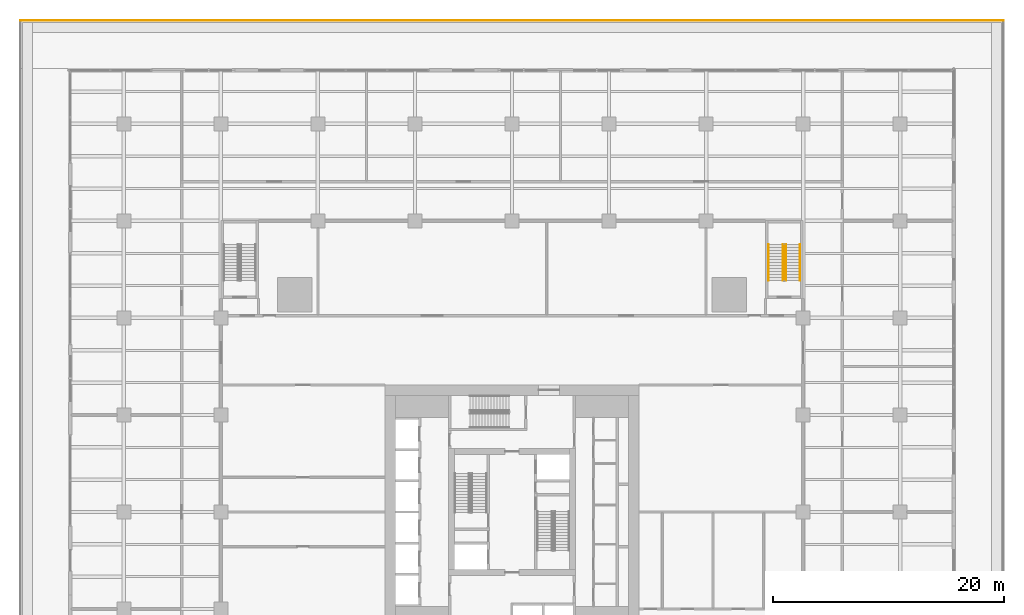
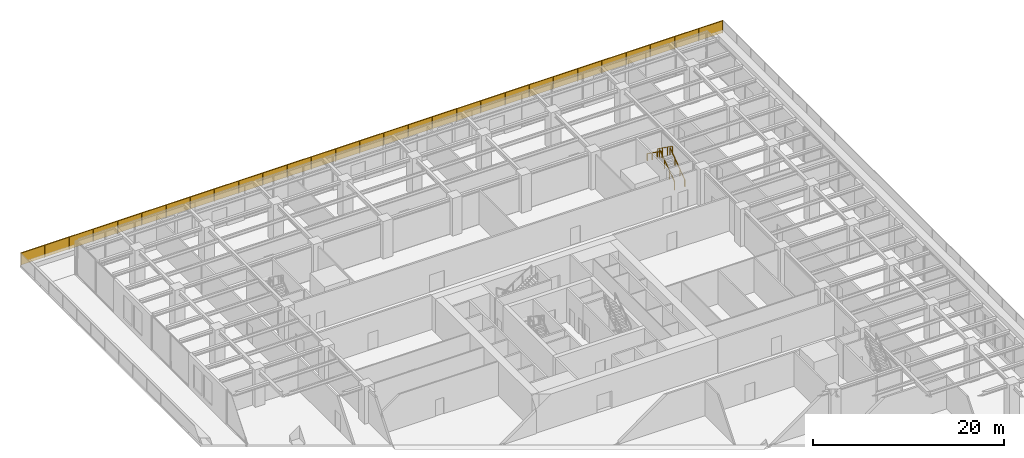
# One storey, part 31 of 32: 5 railings.
"""IFC4 building model written with IfcOpenShell, lengths in metres."""

from ifc_helpers import new_model, si_unit, direction, frame, origin, origin_2d, place, context, subcontext, project, spatial, rectangle, extrude, material, type_object, element, save


model = new_model("IFC4")

# Units and contexts
model_context = context("Model", 3, precision=1e-05, world=origin(), true_north=direction((0.0, 1.0)))
body_context = subcontext(model_context, "Body", "Model", "MODEL_VIEW")
ifc_project = project(units=[si_unit("LENGTHUNIT", "METRE"), si_unit("AREAUNIT", "SQUARE_METRE"), si_unit("VOLUMEUNIT", "CUBIC_METRE"), si_unit("PLANEANGLEUNIT", "RADIAN"), si_unit("MASSUNIT", "GRAM", prefix="KILO")], contexts=[model_context])

# Site, building, storey
site_placement = place(None, origin())
site = spatial("IfcSite", under=ifc_project, at=site_placement, CompositionType="ELEMENT")
building_placement = place(site_placement, origin())
building = spatial("IfcBuilding", under=site, at=building_placement, Name="Khepri Terraces", CompositionType="ELEMENT")
storey_placement = place(building_placement, frame((0.0, 0.0, 12.0)))
storey = spatial("IfcBuildingStorey", under=building, at=storey_placement, Name="L02", CompositionType="ELEMENT", Elevation=12.0)

# Railings
ifc_material_1 = material(Name="Stainless steel grade 316", Category="steel")
railing_type_1 = type_object("IfcRailingType", Name="GRD-TERR-1700", PredefinedType="GUARDRAIL", material=ifc_material_1)
railing_1_placement = place(storey_placement, frame((-42.550048828125, 42.550048828125, 0.0)))
element("IfcRailing", 1, at=railing_1_placement, inside=storey, type_object=railing_type_1, Name="Terrace guard L02", PredefinedType="GUARDRAIL", context=body_context, shape_type="SweptSolid", body=[
    extrude(rectangle(XDim=0.050048828125, YDim=0.06005859375, at=origin_2d()), frame((0.0, 0.0, 1.669921875), z_axis=(1.0, 0.0, 0.0), x_axis=(0.0, 1.0, 0.0)), (0.0, 0.0, 1.0), 85.10009765625),
    extrude(rectangle(XDim=2.884521484375, YDim=0.011962890625, at=origin_2d()), frame((1.46728515625, 0.0, 0.10009765625), z_axis=(0.0, 0.0, 1.0), x_axis=(1.0, 0.0, 0.0)), (0.0, 0.0, 1.0), 1.539794921875),
    extrude(rectangle(XDim=2.884521484375, YDim=0.011962890625, at=origin_2d()), frame((4.401611328125, 0.0, 0.10009765625), z_axis=(0.0, 0.0, 1.0), x_axis=(1.0, 0.0, 0.0)), (0.0, 0.0, 1.0), 1.539794921875),
    extrude(rectangle(XDim=2.884521484375, YDim=0.011962890625, at=origin_2d()), frame((7.336181640625, 0.0, 0.10009765625), z_axis=(0.0, 0.0, 1.0), x_axis=(1.0, 0.0, 0.0)), (0.0, 0.0, 1.0), 1.539794921875),
    extrude(rectangle(XDim=2.884521484375, YDim=0.011962890625, at=origin_2d()), frame((10.270751953125, 0.0, 0.10009765625), z_axis=(0.0, 0.0, 1.0), x_axis=(1.0, 0.0, 0.0)), (0.0, 0.0, 1.0), 1.539794921875),
    extrude(rectangle(XDim=2.884521484375, YDim=0.011962890625, at=origin_2d()), frame((13.205078125, 0.0, 0.10009765625), z_axis=(0.0, 0.0, 1.0), x_axis=(1.0, 0.0, 0.0)), (0.0, 0.0, 1.0), 1.539794921875),
    extrude(rectangle(XDim=2.884521484375, YDim=0.011962890625, at=origin_2d()), frame((16.1396484375, 0.0, 0.10009765625), z_axis=(0.0, 0.0, 1.0), x_axis=(1.0, 0.0, 0.0)), (0.0, 0.0, 1.0), 1.539794921875),
    extrude(rectangle(XDim=2.884521484375, YDim=0.011962890625, at=origin_2d()), frame((19.07421875, 0.0, 0.10009765625), z_axis=(0.0, 0.0, 1.0), x_axis=(1.0, 0.0, 0.0)), (0.0, 0.0, 1.0), 1.539794921875),
    extrude(rectangle(XDim=2.884521484375, YDim=0.011962890625, at=origin_2d()), frame((22.008544921875, 0.0, 0.10009765625), z_axis=(0.0, 0.0, 1.0), x_axis=(1.0, 0.0, 0.0)), (0.0, 0.0, 1.0), 1.539794921875),
    extrude(rectangle(XDim=2.884521484375, YDim=0.011962890625, at=origin_2d()), frame((24.943115234375, 0.0, 0.10009765625), z_axis=(0.0, 0.0, 1.0), x_axis=(1.0, 0.0, 0.0)), (0.0, 0.0, 1.0), 1.539794921875),
    extrude(rectangle(XDim=2.884521484375, YDim=0.011962890625, at=origin_2d()), frame((27.877685546875, 0.0, 0.10009765625), z_axis=(0.0, 0.0, 1.0), x_axis=(1.0, 0.0, 0.0)), (0.0, 0.0, 1.0), 1.539794921875),
    extrude(rectangle(XDim=2.884521484375, YDim=0.011962890625, at=origin_2d()), frame((30.81201171875, 0.0, 0.10009765625), z_axis=(0.0, 0.0, 1.0), x_axis=(1.0, 0.0, 0.0)), (0.0, 0.0, 1.0), 1.539794921875),
    extrude(rectangle(XDim=2.884521484375, YDim=0.011962890625, at=origin_2d()), frame((33.74658203125, 0.0, 0.10009765625), z_axis=(0.0, 0.0, 1.0), x_axis=(1.0, 0.0, 0.0)), (0.0, 0.0, 1.0), 1.539794921875),
    extrude(rectangle(XDim=2.884521484375, YDim=0.011962890625, at=origin_2d()), frame((36.68115234375, 0.0, 0.10009765625), z_axis=(0.0, 0.0, 1.0), x_axis=(1.0, 0.0, 0.0)), (0.0, 0.0, 1.0), 1.539794921875),
    extrude(rectangle(XDim=2.884521484375, YDim=0.011962890625, at=origin_2d()), frame((39.615478515625, 0.0, 0.10009765625), z_axis=(0.0, 0.0, 1.0), x_axis=(1.0, 0.0, 0.0)), (0.0, 0.0, 1.0), 1.539794921875),
    extrude(rectangle(XDim=2.884521484375, YDim=0.011962890625, at=origin_2d()), frame((42.550048828125, 0.0, 0.10009765625), z_axis=(0.0, 0.0, 1.0), x_axis=(1.0, 0.0, 0.0)), (0.0, 0.0, 1.0), 1.539794921875),
    extrude(rectangle(XDim=2.884521484375, YDim=0.011962890625, at=origin_2d()), frame((45.484619140625, 0.0, 0.10009765625), z_axis=(0.0, 0.0, 1.0), x_axis=(1.0, 0.0, 0.0)), (0.0, 0.0, 1.0), 1.539794921875),
    extrude(rectangle(XDim=2.884521484375, YDim=0.011962890625, at=origin_2d()), frame((48.4189453125, 0.0, 0.10009765625), z_axis=(0.0, 0.0, 1.0), x_axis=(1.0, 0.0, 0.0)), (0.0, 0.0, 1.0), 1.539794921875),
    extrude(rectangle(XDim=2.884521484375, YDim=0.011962890625, at=origin_2d()), frame((51.353515625, 0.0, 0.10009765625), z_axis=(0.0, 0.0, 1.0), x_axis=(1.0, 0.0, 0.0)), (0.0, 0.0, 1.0), 1.539794921875),
    extrude(rectangle(XDim=2.884521484375, YDim=0.011962890625, at=origin_2d()), frame((54.2880859375, 0.0, 0.10009765625), z_axis=(0.0, 0.0, 1.0), x_axis=(1.0, 0.0, 0.0)), (0.0, 0.0, 1.0), 1.539794921875),
    extrude(rectangle(XDim=2.884521484375, YDim=0.011962890625, at=origin_2d()), frame((57.222412109375, 0.0, 0.10009765625), z_axis=(0.0, 0.0, 1.0), x_axis=(1.0, 0.0, 0.0)), (0.0, 0.0, 1.0), 1.539794921875),
    extrude(rectangle(XDim=2.884521484375, YDim=0.011962890625, at=origin_2d()), frame((60.156982421875, 0.0, 0.10009765625), z_axis=(0.0, 0.0, 1.0), x_axis=(1.0, 0.0, 0.0)), (0.0, 0.0, 1.0), 1.539794921875),
    extrude(rectangle(XDim=2.884521484375, YDim=0.011962890625, at=origin_2d()), frame((63.091552734375, 0.0, 0.10009765625), z_axis=(0.0, 0.0, 1.0), x_axis=(1.0, 0.0, 0.0)), (0.0, 0.0, 1.0), 1.539794921875),
    extrude(rectangle(XDim=2.884521484375, YDim=0.011962890625, at=origin_2d()), frame((66.02587890625, 0.0, 0.10009765625), z_axis=(0.0, 0.0, 1.0), x_axis=(1.0, 0.0, 0.0)), (0.0, 0.0, 1.0), 1.539794921875),
    extrude(rectangle(XDim=2.884521484375, YDim=0.011962890625, at=origin_2d()), frame((68.96044921875, 0.0, 0.10009765625), z_axis=(0.0, 0.0, 1.0), x_axis=(1.0, 0.0, 0.0)), (0.0, 0.0, 1.0), 1.539794921875),
    extrude(rectangle(XDim=2.884521484375, YDim=0.011962890625, at=origin_2d()), frame((71.89501953125, 0.0, 0.10009765625), z_axis=(0.0, 0.0, 1.0), x_axis=(1.0, 0.0, 0.0)), (0.0, 0.0, 1.0), 1.539794921875),
    extrude(rectangle(XDim=2.884521484375, YDim=0.011962890625, at=origin_2d()), frame((74.829345703125, 0.0, 0.10009765625), z_axis=(0.0, 0.0, 1.0), x_axis=(1.0, 0.0, 0.0)), (0.0, 0.0, 1.0), 1.539794921875),
    extrude(rectangle(XDim=2.884521484375, YDim=0.011962890625, at=origin_2d()), frame((77.763916015625, 0.0, 0.10009765625), z_axis=(0.0, 0.0, 1.0), x_axis=(1.0, 0.0, 0.0)), (0.0, 0.0, 1.0), 1.539794921875),
    extrude(rectangle(XDim=2.884521484375, YDim=0.011962890625, at=origin_2d()), frame((80.698486328125, 0.0, 0.10009765625), z_axis=(0.0, 0.0, 1.0), x_axis=(1.0, 0.0, 0.0)), (0.0, 0.0, 1.0), 1.539794921875),
    extrude(rectangle(XDim=2.884521484375, YDim=0.011962890625, at=origin_2d()), frame((83.6328125, 0.0, 0.10009765625), z_axis=(0.0, 0.0, 1.0), x_axis=(1.0, 0.0, 0.0)), (0.0, 0.0, 1.0), 1.539794921875),
    extrude(rectangle(XDim=0.050048828125, YDim=0.050048828125, at=origin_2d()), origin(), (0.0, 0.0, 1.0), 1.639892578125),
    extrude(rectangle(XDim=0.050048828125, YDim=0.050048828125, at=origin_2d()), frame((2.9345703125, 0.0, 0.0)), (0.0, 0.0, 1.0), 1.639892578125),
    extrude(rectangle(XDim=0.050048828125, YDim=0.050048828125, at=origin_2d()), frame((5.868896484375, 0.0, 0.0)), (0.0, 0.0, 1.0), 1.639892578125),
    extrude(rectangle(XDim=0.050048828125, YDim=0.050048828125, at=origin_2d()), frame((8.803466796875, 0.0, 0.0)), (0.0, 0.0, 1.0), 1.639892578125),
    extrude(rectangle(XDim=0.050048828125, YDim=0.050048828125, at=origin_2d()), frame((11.738037109375, 0.0, 0.0)), (0.0, 0.0, 1.0), 1.639892578125),
    extrude(rectangle(XDim=0.050048828125, YDim=0.050048828125, at=origin_2d()), frame((14.67236328125, 0.0, 0.0)), (0.0, 0.0, 1.0), 1.639892578125),
    extrude(rectangle(XDim=0.050048828125, YDim=0.050048828125, at=origin_2d()), frame((17.60693359375, 0.0, 0.0)), (0.0, 0.0, 1.0), 1.639892578125),
    extrude(rectangle(XDim=0.050048828125, YDim=0.050048828125, at=origin_2d()), frame((20.54150390625, 0.0, 0.0)), (0.0, 0.0, 1.0), 1.639892578125),
    extrude(rectangle(XDim=0.050048828125, YDim=0.050048828125, at=origin_2d()), frame((23.475830078125, 0.0, 0.0)), (0.0, 0.0, 1.0), 1.639892578125),
    extrude(rectangle(XDim=0.050048828125, YDim=0.050048828125, at=origin_2d()), frame((26.410400390625, 0.0, 0.0)), (0.0, 0.0, 1.0), 1.639892578125),
    extrude(rectangle(XDim=0.050048828125, YDim=0.050048828125, at=origin_2d()), frame((29.344970703125, 0.0, 0.0)), (0.0, 0.0, 1.0), 1.639892578125),
    extrude(rectangle(XDim=0.050048828125, YDim=0.050048828125, at=origin_2d()), frame((32.279296875, 0.0, 0.0)), (0.0, 0.0, 1.0), 1.639892578125),
    extrude(rectangle(XDim=0.050048828125, YDim=0.050048828125, at=origin_2d()), frame((35.2138671875, 0.0, 0.0)), (0.0, 0.0, 1.0), 1.639892578125),
    extrude(rectangle(XDim=0.050048828125, YDim=0.050048828125, at=origin_2d()), frame((38.1484375, 0.0, 0.0)), (0.0, 0.0, 1.0), 1.639892578125),
    extrude(rectangle(XDim=0.050048828125, YDim=0.050048828125, at=origin_2d()), frame((41.082763671875, 0.0, 0.0)), (0.0, 0.0, 1.0), 1.639892578125),
    extrude(rectangle(XDim=0.050048828125, YDim=0.050048828125, at=origin_2d()), frame((44.017333984375, 0.0, 0.0)), (0.0, 0.0, 1.0), 1.639892578125),
    extrude(rectangle(XDim=0.050048828125, YDim=0.050048828125, at=origin_2d()), frame((46.95166015625, 0.0, 0.0)), (0.0, 0.0, 1.0), 1.639892578125),
    extrude(rectangle(XDim=0.050048828125, YDim=0.050048828125, at=origin_2d()), frame((49.88623046875, 0.0, 0.0)), (0.0, 0.0, 1.0), 1.639892578125),
    extrude(rectangle(XDim=0.050048828125, YDim=0.050048828125, at=origin_2d()), frame((52.82080078125, 0.0, 0.0)), (0.0, 0.0, 1.0), 1.639892578125),
    extrude(rectangle(XDim=0.050048828125, YDim=0.050048828125, at=origin_2d()), frame((55.755126953125, 0.0, 0.0)), (0.0, 0.0, 1.0), 1.639892578125),
    extrude(rectangle(XDim=0.050048828125, YDim=0.050048828125, at=origin_2d()), frame((58.689697265625, 0.0, 0.0)), (0.0, 0.0, 1.0), 1.639892578125),
    extrude(rectangle(XDim=0.050048828125, YDim=0.050048828125, at=origin_2d()), frame((61.624267578125, 0.0, 0.0)), (0.0, 0.0, 1.0), 1.639892578125),
    extrude(rectangle(XDim=0.050048828125, YDim=0.050048828125, at=origin_2d()), frame((64.55859375, 0.0, 0.0)), (0.0, 0.0, 1.0), 1.639892578125),
    extrude(rectangle(XDim=0.050048828125, YDim=0.050048828125, at=origin_2d()), frame((67.4931640625, 0.0, 0.0)), (0.0, 0.0, 1.0), 1.639892578125),
    extrude(rectangle(XDim=0.050048828125, YDim=0.050048828125, at=origin_2d()), frame((70.427734375, 0.0, 0.0)), (0.0, 0.0, 1.0), 1.639892578125),
    extrude(rectangle(XDim=0.050048828125, YDim=0.050048828125, at=origin_2d()), frame((73.362060546875, 0.0, 0.0)), (0.0, 0.0, 1.0), 1.639892578125),
    extrude(rectangle(XDim=0.050048828125, YDim=0.050048828125, at=origin_2d()), frame((76.296630859375, 0.0, 0.0)), (0.0, 0.0, 1.0), 1.639892578125),
    extrude(rectangle(XDim=0.050048828125, YDim=0.050048828125, at=origin_2d()), frame((79.231201171875, 0.0, 0.0)), (0.0, 0.0, 1.0), 1.639892578125),
    extrude(rectangle(XDim=0.050048828125, YDim=0.050048828125, at=origin_2d()), frame((82.16552734375, 0.0, 0.0)), (0.0, 0.0, 1.0), 1.639892578125),
    extrude(rectangle(XDim=0.050048828125, YDim=0.050048828125, at=origin_2d()), frame((85.10009765625, 0.0, 0.0)), (0.0, 0.0, 1.0), 1.639892578125),
])
ifc_material_2 = material(Name="Stainless steel 316", Category="steel")
railing_type_2 = type_object("IfcRailingType", Name="RL-POD-GUARD", PredefinedType="GUARDRAIL", material=ifc_material_2)
railing_2_placement = place(storey_placement, frame((23.699951171875, 20.050048828125, 0.1845703125)))
element("IfcRailing", 2, at=railing_2_placement, inside=storey, type_object=railing_type_2, Name="L02 PS-1 stair guard 1", PredefinedType="GUARDRAIL", context=body_context, shape_type="SweptSolid", body=[
    extrude(rectangle(XDim=0.050048828125, YDim=0.06005859375, at=origin_2d()), frame((0.0, 0.0, 1.070068359375), z_axis=(0.0, 0.815355575968, 0.57896052088), x_axis=(-1.0, 0.0, 0.0)), (0.0, 0.0, 1.0), 3.826416015625),
    extrude(rectangle(XDim=0.050048828125, YDim=0.050048828125, at=origin_2d()), origin(), (0.0, 0.0, 1.0), 1.0400390625),
    extrude(rectangle(XDim=0.050048828125, YDim=0.050048828125, at=origin_2d()), frame((0.0, 1.0400390625, 0.738525390625)), (0.0, 0.0, 1.0), 1.0400390625),
    extrude(rectangle(XDim=0.050048828125, YDim=0.050048828125, at=origin_2d()), frame((0.0, 2.079833984375, 1.476806640625)), (0.0, 0.0, 1.0), 1.0400390625),
    extrude(rectangle(XDim=0.050048828125, YDim=0.050048828125, at=origin_2d()), frame((0.0, 3.119873046875, 2.21533203125)), (0.0, 0.0, 1.0), 1.0400390625),
])
railing_3_placement = place(storey_placement, frame((23.449951171875, 23.169921875, 2.584716796875)))
element("IfcRailing", 3, at=railing_3_placement, inside=storey, type_object=railing_type_2, Name="L02 PS-1 stair guard 3", PredefinedType="GUARDRAIL", context=body_context, shape_type="SweptSolid", body=[
    extrude(rectangle(XDim=0.050048828125, YDim=0.06005859375, at=origin_2d()), frame((0.0, 0.0, 1.070068359375), z_axis=(0.0, -0.815355575968, 0.57896052088), x_axis=(1.0, 0.0, 0.0)), (0.0, 0.0, 1.0), 3.826416015625),
    extrude(rectangle(XDim=0.050048828125, YDim=0.050048828125, at=origin_2d()), origin(), (0.0, 0.0, 1.0), 1.0400390625),
    extrude(rectangle(XDim=0.050048828125, YDim=0.050048828125, at=origin_2d()), frame((0.0, -1.0400390625, 0.738525390625)), (0.0, 0.0, 1.0), 1.0400390625),
    extrude(rectangle(XDim=0.050048828125, YDim=0.050048828125, at=origin_2d()), frame((0.0, -2.079833984375, 1.476806640625)), (0.0, 0.0, 1.0), 1.0400390625),
    extrude(rectangle(XDim=0.050048828125, YDim=0.050048828125, at=origin_2d()), frame((0.0, -3.119873046875, 2.21533203125)), (0.0, 0.0, 1.0), 1.0400390625),
])
railing_type_3 = type_object("IfcRailingType", Name="RL-POD-HANDRAIL", PredefinedType="HANDRAIL", material=ifc_material_2)
railing_4_placement = place(storey_placement, frame((24.949951171875, 20.050048828125, 0.1845703125)))
element("IfcRailing", 4, at=railing_4_placement, inside=storey, type_object=railing_type_3, Name="L02 PS-1 stair handrail 1", PredefinedType="HANDRAIL", context=body_context, shape_type="SweptSolid", body=[
    extrude(rectangle(XDim=0.050048828125, YDim=0.050048828125, at=origin_2d()), frame((0.0, 0.0, 0.875), z_axis=(0.0, 0.815355575968, 0.57896052088), x_axis=(-1.0, 0.0, 0.0)), (0.0, 0.0, 1.0), 3.826416015625),
    extrude(rectangle(XDim=0.050048828125, YDim=0.050048828125, at=origin_2d()), origin(), (0.0, 0.0, 1.0), 0.849853515625),
    extrude(rectangle(XDim=0.050048828125, YDim=0.050048828125, at=origin_2d()), frame((0.0, 1.0400390625, 0.738525390625)), (0.0, 0.0, 1.0), 0.849853515625),
    extrude(rectangle(XDim=0.050048828125, YDim=0.050048828125, at=origin_2d()), frame((0.0, 2.079833984375, 1.476806640625)), (0.0, 0.0, 1.0), 0.849853515625),
    extrude(rectangle(XDim=0.050048828125, YDim=0.050048828125, at=origin_2d()), frame((0.0, 3.119873046875, 2.21533203125)), (0.0, 0.0, 1.0), 0.849853515625),
])
railing_5_placement = place(storey_placement, frame((22.199951171875, 23.169921875, 2.584716796875)))
element("IfcRailing", 5, at=railing_5_placement, inside=storey, type_object=railing_type_3, Name="L02 PS-1 stair handrail 2", PredefinedType="HANDRAIL", context=body_context, shape_type="SweptSolid", body=[
    extrude(rectangle(XDim=0.050048828125, YDim=0.050048828125, at=origin_2d()), frame((0.0, 0.0, 0.875), z_axis=(0.0, -0.815355575968, 0.57896052088), x_axis=(1.0, 0.0, 0.0)), (0.0, 0.0, 1.0), 3.826416015625),
    extrude(rectangle(XDim=0.050048828125, YDim=0.050048828125, at=origin_2d()), origin(), (0.0, 0.0, 1.0), 0.849853515625),
    extrude(rectangle(XDim=0.050048828125, YDim=0.050048828125, at=origin_2d()), frame((0.0, -1.0400390625, 0.738525390625)), (0.0, 0.0, 1.0), 0.849853515625),
    extrude(rectangle(XDim=0.050048828125, YDim=0.050048828125, at=origin_2d()), frame((0.0, -2.079833984375, 1.476806640625)), (0.0, 0.0, 1.0), 0.849853515625),
    extrude(rectangle(XDim=0.050048828125, YDim=0.050048828125, at=origin_2d()), frame((0.0, -3.119873046875, 2.21533203125)), (0.0, 0.0, 1.0), 0.849853515625),
])

save(model, "model.ifc")
